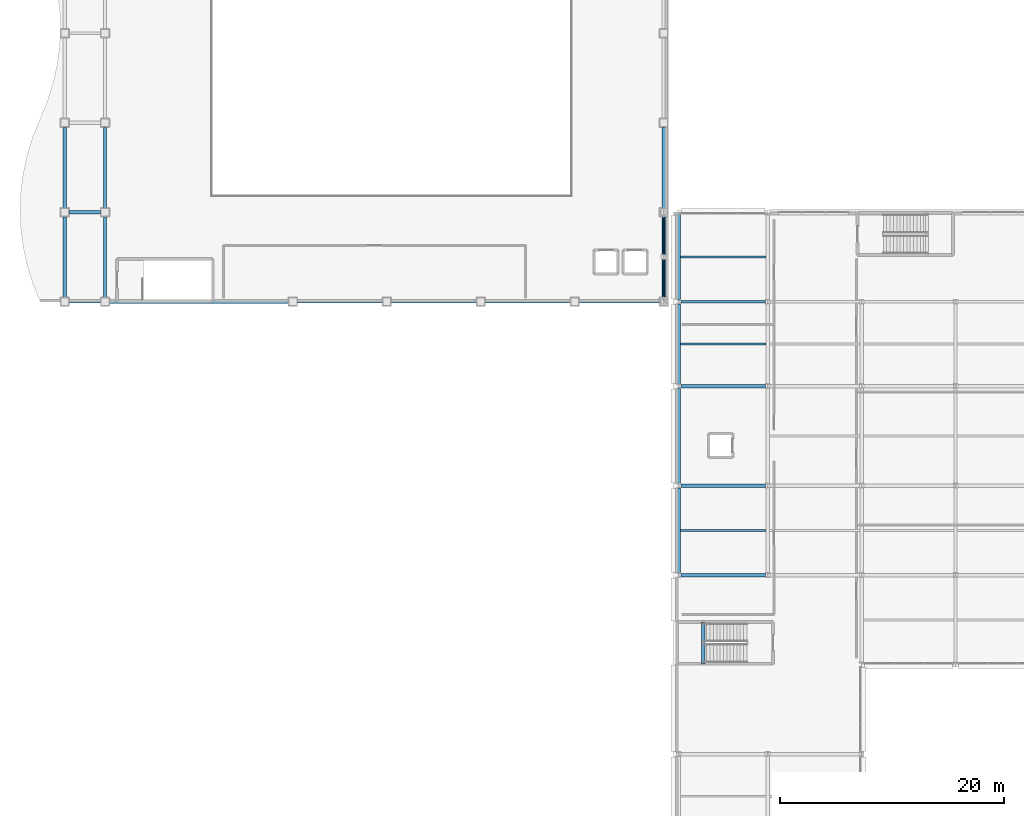
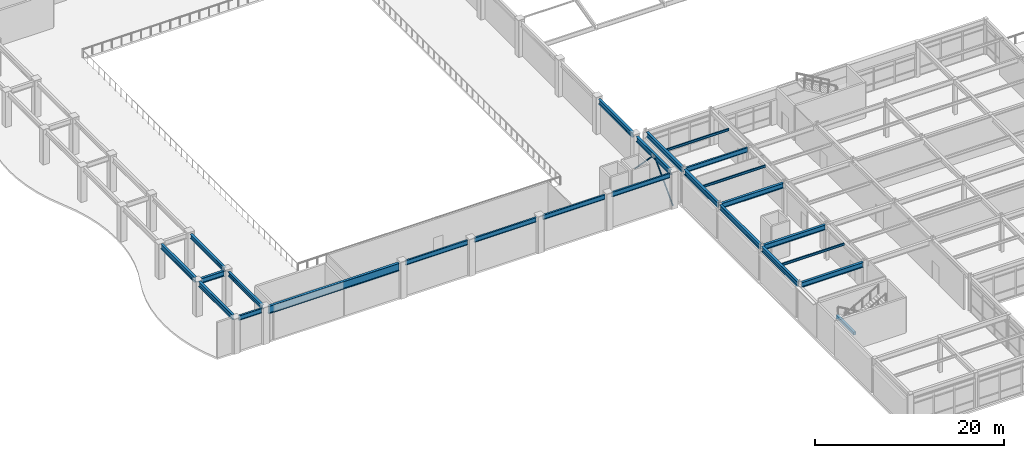
# One storey, part 17 of 93: 25 beams, 2 members.
"""IFC4 building model written with IfcOpenShell, lengths in metres."""

from ifc_helpers import new_model, si_unit, direction, frame, origin, origin_2d, place, context, subcontext, project, spatial, rectangle, hollow_circle, i_section, extrude, material, material_profile, profile_set, type_object, element, save


model = new_model("IFC4")

# Units and contexts
model_context = context("Model", 3, precision=1e-05, world=origin(), true_north=direction((0.0, 1.0)))
body_context = subcontext(model_context, "Body", "Model", "MODEL_VIEW")
ifc_project = project(units=[si_unit("LENGTHUNIT", "METRE"), si_unit("AREAUNIT", "SQUARE_METRE"), si_unit("VOLUMEUNIT", "CUBIC_METRE"), si_unit("PLANEANGLEUNIT", "RADIAN"), si_unit("MASSUNIT", "GRAM", prefix="KILO")], contexts=[model_context])

# Site, building, storey
site_placement = place(None, origin())
site = spatial("IfcSite", under=ifc_project, at=site_placement, CompositionType="ELEMENT")
building_placement = place(site_placement, origin())
building = spatial("IfcBuilding", under=site, at=building_placement, Name="Kazehara Bluff Congress Hotel", CompositionType="ELEMENT")
storey_placement = place(building_placement, frame((0.0, 0.0, 15.0)))
storey = spatial("IfcBuildingStorey", under=building, at=storey_placement, Name="L03", CompositionType="ELEMENT", Elevation=15.0)

# Members
ifc_material_1 = material(Name="Steel STK490", Category="steel")
ifc_material_profile_1 = material_profile(ifc_material_1, hollow_circle(Radius=0.08251953125, WallThickness=0.007080078125, at=origin_2d()))
ifc_profile_set_1 = profile_set([ifc_material_profile_1], Name="Steel STK490")
member_type = type_object("IfcMemberType", Name="TP-BR-02", PredefinedType="BRACE", material=ifc_profile_set_1)
for number, where, z_axis, x_axis, name in (
    (1, (58.35009765625, 48.449951171875, 0.14990234375), (0.0, 0.695275793679, 0.718743049166), (-1.0, 0.0, 0.0), "L03 chevron brace BR-02 11"),
    (2, (58.35009765625, 56.449951171875, 0.14990234375), (0.0, -0.695275793679, 0.718743049166), (1.0, 0.0, 0.0), "L03 chevron brace BR-02 12"),
):
    element("IfcMember", number, at=place(storey_placement, frame(where, z_axis=z_axis, x_axis=x_axis)), inside=storey, type_object=member_type, Name=name, PredefinedType="BRACE", context=body_context, shape_type="SweptSolid", body=[
        extrude(hollow_circle(Radius=0.08251953125, WallThickness=0.007080078125, at=origin_2d()), origin(), (0.0, 0.0, 1.0), 5.753173828125),
    ])

# Beams
ifc_material_2 = material(Name="Steel SN490B", Category="steel")
ifc_material_profile_2 = material_profile(ifc_material_2, i_section(OverallWidth=0.300048828125, OverallDepth=0.64990234375, WebThickness=0.011962890625, FlangeThickness=0.02001953125, FilletRadius=0.012939453125, at=origin_2d()))
ifc_profile_set_2 = profile_set([ifc_material_profile_2], Name="Steel SN490B")
beam_type_1 = type_object("IfcBeamType", Name="TP-G-03", PredefinedType="BEAM", material=ifc_profile_set_2)
for number, where, z_axis, x_axis, name in (
    (3, (4.800048828125, 48.85009765625, 4.235107421875), (0.0, 1.0, 0.0), (-1.0, 0.0, 0.0), "L03 girder G-03 1"),
    (4, (4.800048828125, 56.85009765625, 4.235107421875), (0.0, 1.0, 0.0), (-1.0, 0.0, 0.0), "L03 girder G-03 2"),
    (5, (58.35009765625, 48.85009765625, 4.235107421875), (0.0, 1.0, 0.0), (-1.0, 0.0, 0.0), "L03 girder G-03 17"),
    (6, (58.35009765625, 56.85009765625, 4.235107421875), (0.0, 1.0, 0.0), (-1.0, 0.0, 0.0), "L03 girder G-03 18"),
):
    element("IfcBeam", number, at=place(storey_placement, frame(where, z_axis=z_axis, x_axis=x_axis)), inside=storey, type_object=beam_type_1, Name=name, PredefinedType="BEAM", context=body_context, shape_type="SweptSolid", body=[
        extrude(i_section(OverallWidth=0.300048828125, OverallDepth=0.64990234375, WebThickness=0.011962890625, FlangeThickness=0.02001953125, FilletRadius=0.012939453125, at=origin_2d()), origin(), (0.0, 0.0, 1.0), 7.199951171875),
    ])
beam_1_placement = place(storey_placement, frame((5.199951171875, 56.449951171875, 4.235107421875), z_axis=(1.0, 0.0, 0.0), x_axis=(0.0, 1.0, 0.0)))
element("IfcBeam", 7, at=beam_1_placement, inside=storey, type_object=beam_type_1, Name="L03 girder G-03 31", PredefinedType="BEAM", context=body_context, shape_type="SweptSolid", body=[
    extrude(i_section(OverallWidth=0.300048828125, OverallDepth=0.64990234375, WebThickness=0.011962890625, FlangeThickness=0.02001953125, FilletRadius=0.012939453125, at=origin_2d()), origin(), (0.0, 0.0, 1.0), 2.800048828125),
])
beam_2_placement = place(storey_placement, frame((59.699951171875, 24.199951171875, 4.235107421875), z_axis=(0.0, 1.0, 0.0), x_axis=(-1.0, 0.0, 0.0)))
element("IfcBeam", 8, at=beam_2_placement, inside=storey, type_object=beam_type_1, Name="L03 girder G-03 42", PredefinedType="BEAM", context=body_context, shape_type="SweptSolid", body=[
    extrude(i_section(OverallWidth=0.300048828125, OverallDepth=0.64990234375, WebThickness=0.011962890625, FlangeThickness=0.02001953125, FilletRadius=0.012939453125, at=origin_2d()), origin(), (0.0, 0.0, 1.0), 7.60009765625),
])
beam_3_placement = place(storey_placement, frame((59.699951171875, 32.199951171875, 4.235107421875), z_axis=(0.0, 1.0, 0.0), x_axis=(-1.0, 0.0, 0.0)))
element("IfcBeam", 9, at=beam_3_placement, inside=storey, type_object=beam_type_1, Name="L03 girder G-03 43", PredefinedType="BEAM", context=body_context, shape_type="SweptSolid", body=[
    extrude(i_section(OverallWidth=0.300048828125, OverallDepth=0.64990234375, WebThickness=0.011962890625, FlangeThickness=0.02001953125, FilletRadius=0.012939453125, at=origin_2d()), origin(), (0.0, 0.0, 1.0), 8.5),
])
beam_4_placement = place(storey_placement, frame((59.699951171875, 41.10009765625, 4.235107421875), z_axis=(0.0, 1.0, 0.0), x_axis=(-1.0, 0.0, 0.0)))
element("IfcBeam", 10, at=beam_4_placement, inside=storey, type_object=beam_type_1, Name="L03 girder G-03 44", PredefinedType="BEAM", context=body_context, shape_type="SweptSolid", body=[
    extrude(i_section(OverallWidth=0.300048828125, OverallDepth=0.64990234375, WebThickness=0.011962890625, FlangeThickness=0.02001953125, FilletRadius=0.012939453125, at=origin_2d()), origin(), (0.0, 0.0, 1.0), 7.14990234375),
])
beam_5_placement = place(storey_placement, frame((59.699951171875, 48.64990234375, 4.235107421875), z_axis=(0.0, 1.0, 0.0), x_axis=(-1.0, 0.0, 0.0)))
element("IfcBeam", 11, at=beam_5_placement, inside=storey, type_object=beam_type_1, Name="L03 girder G-03 45", PredefinedType="BEAM", context=body_context, shape_type="SweptSolid", body=[
    extrude(i_section(OverallWidth=0.300048828125, OverallDepth=0.64990234375, WebThickness=0.011962890625, FlangeThickness=0.02001953125, FilletRadius=0.012939453125, at=origin_2d()), origin(), (0.0, 0.0, 1.0), 7.60009765625),
])
for number, where, z_axis, x_axis, name in (
    (12, (59.89990234375, 24.0, 4.235107421875), (1.0, 0.0, 0.0), (0.0, 1.0, 0.0), "L03 girder G-03 78"),
    (13, (59.89990234375, 32.0, 4.235107421875), (1.0, 0.0, 0.0), (0.0, 1.0, 0.0), "L03 girder G-03 83"),
    (14, (59.89990234375, 40.89990234375, 4.235107421875), (1.0, 0.0, 0.0), (0.0, 1.0, 0.0), "L03 girder G-03 88"),
):
    element("IfcBeam", number, at=place(storey_placement, frame(where, z_axis=z_axis, x_axis=x_axis)), inside=storey, type_object=beam_type_1, Name=name, PredefinedType="BEAM", context=body_context, shape_type="SweptSolid", body=[
        extrude(i_section(OverallWidth=0.300048828125, OverallDepth=0.64990234375, WebThickness=0.011962890625, FlangeThickness=0.02001953125, FilletRadius=0.012939453125, at=origin_2d()), origin(), (0.0, 0.0, 1.0), 7.550048828125),
    ])
ifc_material_3 = material(Name="Steel SN490B", Category="steel")
ifc_material_profile_3 = material_profile(ifc_material_3, i_section(OverallWidth=0.300048828125, OverallDepth=1.0, WebThickness=0.01611328125, FlangeThickness=0.028076171875, FilletRadius=0.02197265625, at=origin_2d()))
ifc_profile_set_3 = profile_set([ifc_material_profile_3], Name="Steel SN490B")
beam_type_2 = type_object("IfcBeamType", Name="TP-G-09", PredefinedType="BEAM", material=ifc_profile_set_3)
beam_6_placement = place(storey_placement, frame((8.800048828125, 48.449951171875, 4.06005859375), z_axis=(1.0, 0.0, 0.0), x_axis=(0.0, 1.0, 0.0)))
element("IfcBeam", 15, at=beam_6_placement, inside=storey, type_object=beam_type_2, Name="L03 girder G-09 26", PredefinedType="BEAM", context=body_context, shape_type="SweptSolid", body=[
    extrude(i_section(OverallWidth=0.300048828125, OverallDepth=1.0, WebThickness=0.01611328125, FlangeThickness=0.028076171875, FilletRadius=0.02197265625, at=origin_2d()), origin(), (0.0, 0.0, 1.0), 16.0),
])
ifc_material_4 = material(Name="Steel SN400B", Category="steel")
ifc_material_profile_4 = material_profile(ifc_material_4, i_section(OverallWidth=0.14990234375, OverallDepth=0.300048828125, WebThickness=0.006591796875, FlangeThickness=0.009033203125, FilletRadius=0.012939453125, at=origin_2d()))
ifc_profile_set_4 = profile_set([ifc_material_profile_4], Name="Steel SN400B")
beam_type_3 = type_object("IfcBeamType", Name="TP-J-01", PredefinedType="JOIST", material=ifc_profile_set_4)
for number, where, z_axis, x_axis, name in (
    (16, (59.85009765625, 28.0, 4.409912109375), (1.0, 0.0, 0.0), (0.0, 1.0, 0.0), "L03 secondary joist J-01 2"),
    (17, (59.85009765625, 44.675048828125, 4.409912109375), (1.0, 0.0, 0.0), (0.0, 1.0, 0.0), "L03 secondary joist J-01 3"),
    (18, (59.85009765625, 52.449951171875, 4.409912109375), (1.0, 0.0, 0.0), (0.0, 1.0, 0.0), "L03 secondary joist J-01 4"),
):
    element("IfcBeam", number, at=place(storey_placement, frame(where, z_axis=z_axis, x_axis=x_axis)), inside=storey, type_object=beam_type_3, Name=name, PredefinedType="JOIST", context=body_context, shape_type="SweptSolid", body=[
        extrude(i_section(OverallWidth=0.14990234375, OverallDepth=0.300048828125, WebThickness=0.006591796875, FlangeThickness=0.009033203125, FilletRadius=0.012939453125, at=origin_2d()), origin(), (0.0, 0.0, 1.0), 7.64990234375),
    ])
ifc_material_5 = material(Name="Concrete C40/50", Category="concrete")
ifc_material_profile_5 = material_profile(ifc_material_5, rectangle(XDim=0.300048828125, YDim=0.39990234375, at=origin_2d()))
ifc_profile_set_5 = profile_set([ifc_material_profile_5], Name="Concrete C40/50")
beam_type_4 = type_object("IfcBeamType", Name="TP-LN-02", PredefinedType="LINTEL", material=ifc_profile_set_5)
beam_7_placement = place(storey_placement, frame((61.89990234375, 19.824951171875, 2.02001953125), z_axis=(0.0, -1.0, 0.0), x_axis=(1.0, 0.0, 0.0)))
element("IfcBeam", 19, at=beam_7_placement, inside=storey, type_object=beam_type_4, Name="L03 ST-08 half-landing support beam 1", PredefinedType="LINTEL", context=body_context, shape_type="SweptSolid", body=[
    extrude(rectangle(XDim=0.300048828125, YDim=0.39990234375, at=origin_2d()), origin(), (0.0, 0.0, 1.0), 3.75),
])
ifc_material_6 = material(Name="Steel SN490B", Category="steel")
ifc_material_profile_6 = material_profile(ifc_material_6, i_section(OverallWidth=0.300048828125, OverallDepth=0.550048828125, WebThickness=0.010986328125, FlangeThickness=0.01806640625, FilletRadius=0.012939453125, at=origin_2d()))
ifc_profile_set_6 = profile_set([ifc_material_profile_6], Name="Steel SN490B")
beam_type_5 = type_object("IfcBeamType", Name="TP-SP-01", PredefinedType="SPANDREL", material=ifc_profile_set_6)
for number, where, z_axis, x_axis, name in (
    (20, (8.39990234375, 48.85009765625, 4.284912109375), (0.0, 1.0, 0.0), (-1.0, 0.0, 0.0), "L03 girder SP-01 9"),
    (21, (8.39990234375, 56.85009765625, 4.284912109375), (0.0, 1.0, 0.0), (-1.0, 0.0, 0.0), "L03 girder SP-01 10"),
):
    element("IfcBeam", number, at=place(storey_placement, frame(where, z_axis=z_axis, x_axis=x_axis)), inside=storey, type_object=beam_type_5, Name=name, PredefinedType="SPANDREL", context=body_context, shape_type="SweptSolid", body=[
        extrude(i_section(OverallWidth=0.300048828125, OverallDepth=0.550048828125, WebThickness=0.010986328125, FlangeThickness=0.01806640625, FilletRadius=0.012939453125, at=origin_2d()), origin(), (0.0, 0.0, 1.0), 7.199951171875),
    ])
ifc_material_7 = material(Name="Steel SN490B", Category="steel")
ifc_material_profile_7 = material_profile(ifc_material_7, i_section(OverallWidth=0.199951171875, OverallDepth=0.60009765625, WebThickness=0.010986328125, FlangeThickness=0.01708984375, FilletRadius=0.012939453125, at=origin_2d()))
ifc_profile_set_7 = profile_set([ifc_material_profile_7], Name="Steel SN490B")
beam_type_6 = type_object("IfcBeamType", Name="TP-SP-02", PredefinedType="SPANDREL", material=ifc_profile_set_7)
beam_8_placement = place(storey_placement, frame((5.199951171875, 48.449951171875, 4.260009765625), z_axis=(1.0, 0.0, 0.0), x_axis=(0.0, 1.0, 0.0)))
element("IfcBeam", 22, at=beam_8_placement, inside=storey, type_object=beam_type_6, Name="L03 girder SP-02 25", PredefinedType="SPANDREL", context=body_context, shape_type="SweptSolid", body=[
    extrude(i_section(OverallWidth=0.199951171875, OverallDepth=0.60009765625, WebThickness=0.010986328125, FlangeThickness=0.01708984375, FilletRadius=0.012939453125, at=origin_2d()), origin(), (0.0, 0.0, 1.0), 2.800048828125),
])
beam_9_placement = place(storey_placement, frame((25.60009765625, 48.449951171875, 4.260009765625), z_axis=(1.0, 0.0, 0.0), x_axis=(0.0, 1.0, 0.0)))
element("IfcBeam", 23, at=beam_9_placement, inside=storey, type_object=beam_type_6, Name="L03 girder SP-02 27", PredefinedType="SPANDREL", context=body_context, shape_type="SweptSolid", body=[
    extrude(i_section(OverallWidth=0.199951171875, OverallDepth=0.60009765625, WebThickness=0.010986328125, FlangeThickness=0.01708984375, FilletRadius=0.012939453125, at=origin_2d()), origin(), (0.0, 0.0, 1.0), 7.599853515625),
])
for number, where, z_axis, x_axis, name in (
    (24, (34.0, 48.449951171875, 4.260009765625), (1.0, 0.0, 0.0), (0.0, 1.0, 0.0), "L03 girder SP-02 28"),
    (25, (42.39990234375, 48.449951171875, 4.260009765625), (1.0, 0.0, 0.0), (0.0, 1.0, 0.0), "L03 girder SP-02 29"),
):
    element("IfcBeam", number, at=place(storey_placement, frame(where, z_axis=z_axis, x_axis=x_axis)), inside=storey, type_object=beam_type_6, Name=name, PredefinedType="SPANDREL", context=body_context, shape_type="SweptSolid", body=[
        extrude(i_section(OverallWidth=0.199951171875, OverallDepth=0.60009765625, WebThickness=0.010986328125, FlangeThickness=0.01708984375, FilletRadius=0.012939453125, at=origin_2d()), origin(), (0.0, 0.0, 1.0), 7.60009765625),
    ])
beam_10_placement = place(storey_placement, frame((50.800048828125, 48.449951171875, 4.260009765625), z_axis=(1.0, 0.0, 0.0), x_axis=(0.0, 1.0, 0.0)))
element("IfcBeam", 26, at=beam_10_placement, inside=storey, type_object=beam_type_6, Name="L03 girder SP-02 30", PredefinedType="SPANDREL", context=body_context, shape_type="SweptSolid", body=[
    extrude(i_section(OverallWidth=0.199951171875, OverallDepth=0.60009765625, WebThickness=0.010986328125, FlangeThickness=0.01708984375, FilletRadius=0.012939453125, at=origin_2d()), origin(), (0.0, 0.0, 1.0), 7.14990234375),
])
beam_11_placement = place(storey_placement, frame((59.89990234375, 48.449951171875, 4.260009765625), z_axis=(1.0, 0.0, 0.0), x_axis=(0.0, 1.0, 0.0)))
element("IfcBeam", 27, at=beam_11_placement, inside=storey, type_object=beam_type_6, Name="L03 girder SP-02 93", PredefinedType="SPANDREL", context=body_context, shape_type="SweptSolid", body=[
    extrude(i_section(OverallWidth=0.199951171875, OverallDepth=0.60009765625, WebThickness=0.010986328125, FlangeThickness=0.01708984375, FilletRadius=0.012939453125, at=origin_2d()), origin(), (0.0, 0.0, 1.0), 7.550048828125),
])

save(model, "model.ifc")
